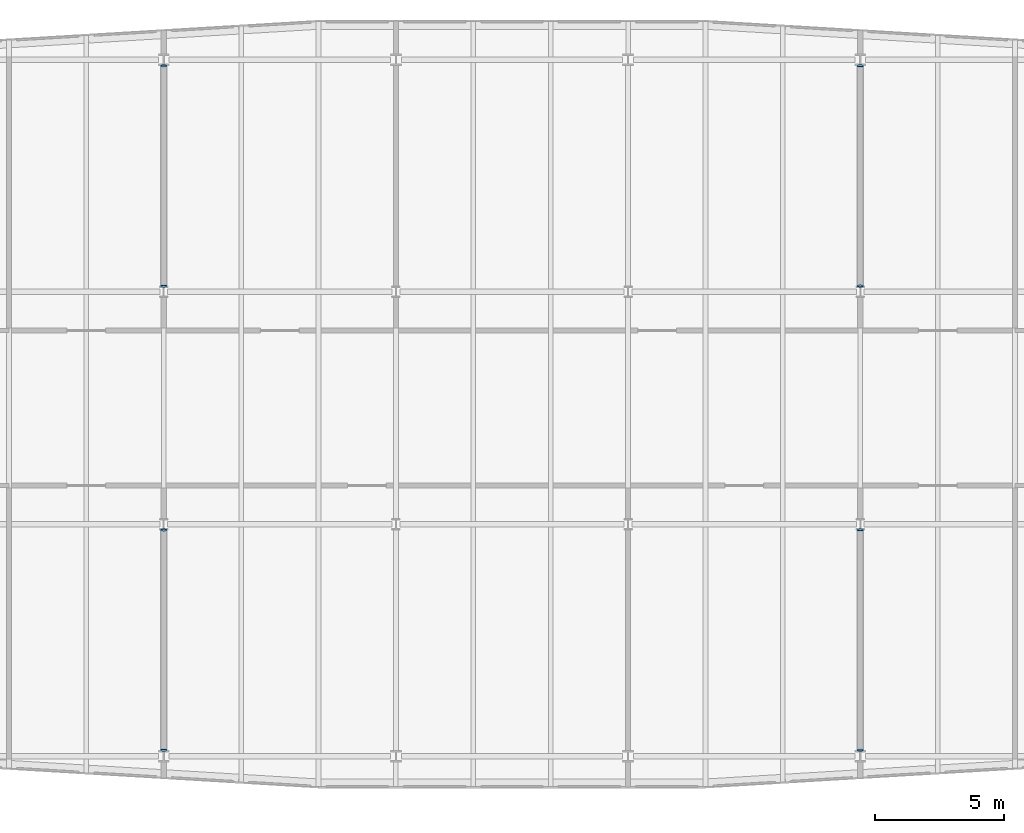
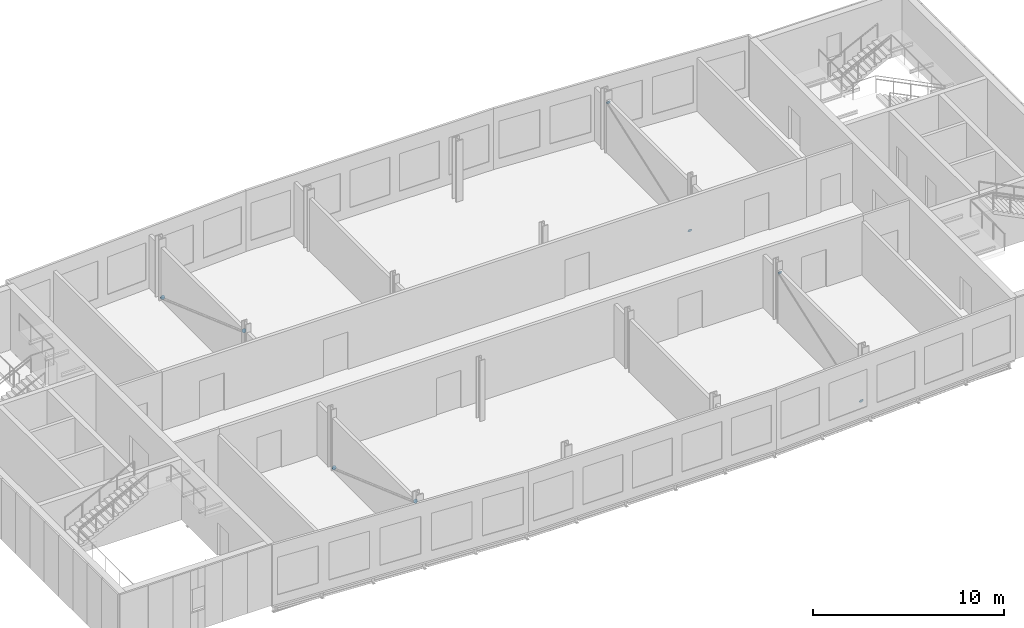
# One storey, part 7 of 9: 8 discrete accessories.
"""IFC4 building model written with IfcOpenShell, lengths in metres."""

from ifc_helpers import new_model, si_unit, direction, frame, origin, origin_2d, place, context, subcontext, project, spatial, circle, extrude, material, material_profile, profile_set, type_object, element, save


model = new_model("IFC4")

# Units and contexts
model_context = context("Model", 3, precision=1e-05, world=origin(), true_north=direction((0.0, 1.0)))
body_context = subcontext(model_context, "Body", "Model", "MODEL_VIEW")
ifc_project = project(units=[si_unit("LENGTHUNIT", "METRE"), si_unit("AREAUNIT", "SQUARE_METRE"), si_unit("VOLUMEUNIT", "CUBIC_METRE"), si_unit("PLANEANGLEUNIT", "RADIAN"), si_unit("MASSUNIT", "GRAM", prefix="KILO")], contexts=[model_context])

# Site, building, storey
site_placement = place(None, origin())
site = spatial("IfcSite", under=ifc_project, at=site_placement, CompositionType="ELEMENT")
building_placement = place(site_placement, origin())
building = spatial("IfcBuilding", under=site, at=building_placement, Name="Azimuth Sports and Learning Centre", CompositionType="ELEMENT")
storey_placement = place(building_placement, frame((0.0, 0.0, 51.89990234375)))
storey = spatial("IfcBuildingStorey", under=building, at=storey_placement, Name="L11", CompositionType="ELEMENT", Elevation=51.89990234375)

# Discrete accessories
ifc_material = material(Name="Steel S355", Category="steel")
ifc_material_profile = material_profile(ifc_material, circle(Radius=0.122314453125, at=origin_2d()), Name="PL 244 DISC")
ifc_profile_set = profile_set([ifc_material_profile], Name="Steel S355")
discrete_accessory_type = type_object("IfcDiscreteAccessoryType", Name="End plate CHS 244.5x12.5", PredefinedType="USERDEFINED", material=ifc_profile_set)
for number, where, z_axis, x_axis, name in (
    (1, (72.0, 98.762939453125, 0.169921875), (0.0, 0.939793423488, -0.341743063087), (-1.0, 0.0, 0.0), "End plate Tower brace 9 L11 lower end"),
    (2, (72.0, 90.24853515625, 3.200439453125), (0.0, -0.943667134088, 0.330896267797), (1.0, 0.0, 0.0), "End plate Tower brace 9 L11 upper end"),
    (3, (72.0, 116.75146484375, 0.169921875), (0.0, 0.939793423488, -0.341743063087), (-1.0, 0.0, 0.0), "End plate Tower brace 9 L11 lower end"),
    (4, (72.0, 108.237060546875, 3.200439453125), (0.0, -0.943667134088, 0.330896267797), (1.0, 0.0, 0.0), "End plate Tower brace 9 L11 upper end"),
    (5, (99.0, 90.24853515625, 0.169921875), (0.0, -0.939793423488, -0.341743063087), (1.0, 0.0, 0.0), "End plate Tower brace 12 L11 lower end"),
    (6, (99.0, 98.762939453125, 3.200439453125), (0.0, 0.943667134088, 0.330896267797), (-1.0, 0.0, 0.0), "End plate Tower brace 12 L11 upper end"),
    (7, (99.0, 108.237060546875, 0.169921875), (0.0, -0.939793423488, -0.341743063087), (1.0, 0.0, 0.0), "End plate Tower brace 12 L11 lower end"),
    (8, (99.0, 116.75146484375, 3.200439453125), (0.0, 0.943667134088, 0.330896267797), (-1.0, 0.0, 0.0), "End plate Tower brace 12 L11 upper end"),
):
    element("IfcDiscreteAccessory", number, at=place(storey_placement, frame(where, z_axis=z_axis, x_axis=x_axis)), inside=storey, type_object=discrete_accessory_type, Name=name, ObjectType="END PLATE", PredefinedType="USERDEFINED", context=body_context, shape_type="SweptSolid", body=[
        extrude(circle(Radius=0.122314453125, at=origin_2d()), origin(), (0.0, 0.0, 1.0), 0.02001953125),
    ])

save(model, "model.ifc")
